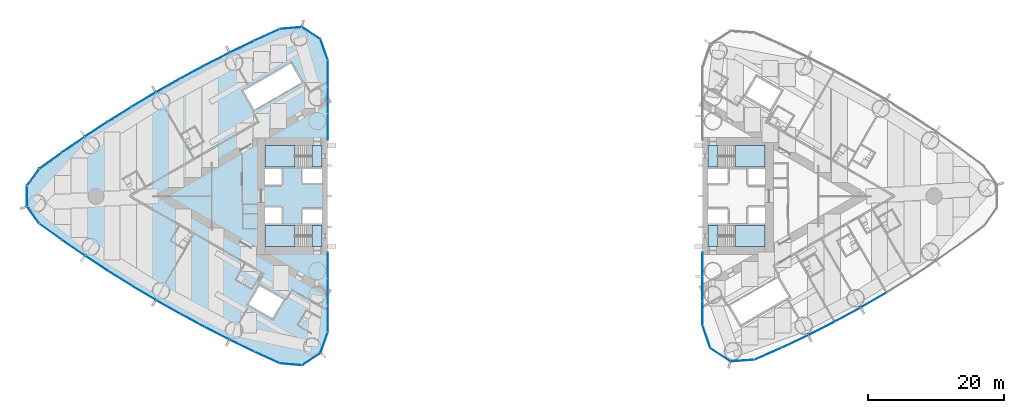
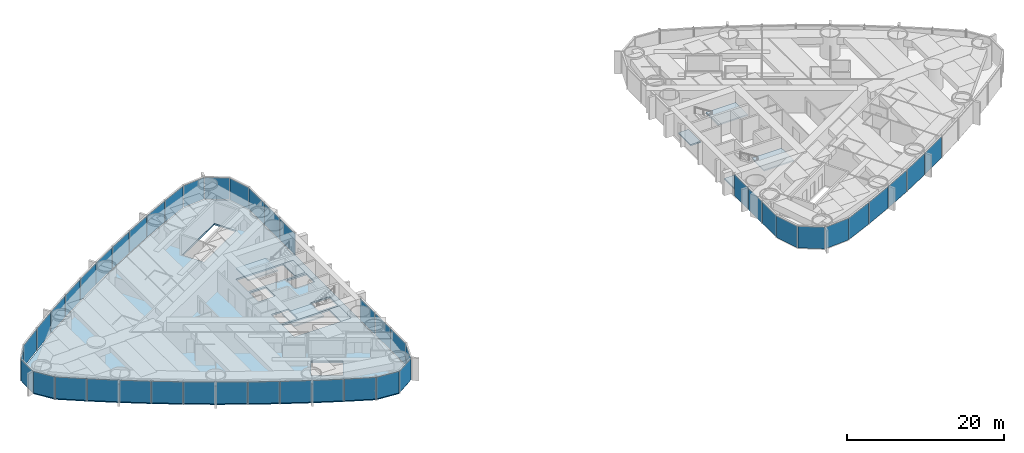
# One storey, part 9 of 18: 46 plates, 9 slabs, 6 elements without a shape of their own.
"""IFC4 building model written with IfcOpenShell, lengths in metres."""

import ifcopenshell
import ifcopenshell.guid

model = None  # the IFC model being written
_history = None  # IfcOwnerHistory: only IFC2X3 demands one
_inside = {}  # id of a spatial element -> (the spatial element, [elements in it])
_under = {}  # id of a project, library or spatial element -> (it, [spatial elements below it])
_declared = {}  # id of a project -> (the project, [libraries it declares])
_typed = {}  # id of a type object -> (the type object, [elements of that type])
_made_of = {}  # id of a material, layer set ... -> (it, [elements and type objects made of it])


def new_model(schema):
    """Start an empty IFC model of exactly this schema.

    Asked for "IFC4X3", IfcOpenShell would pick the latest addendum, in which some entities
    have other attributes; the version numbers below select the first issue.
    IFC2X3 requires an IfcOwnerHistory on every rooted entity: one is made here for all.
    """
    global model, _history
    if schema == "IFC4X3":
        model = ifcopenshell.file(schema_version=(4, 3, 0, 0))
    else:
        model = ifcopenshell.file(schema=schema)
    _inside.clear()
    _under.clear()
    _declared.clear()
    _typed.clear()
    _made_of.clear()
    _history = None
    if model.schema == "IFC2X3":
        org = make("IfcOrganization", Name="unknown")
        user = make(
            "IfcPersonAndOrganization",
            ThePerson=make("IfcPerson", FamilyName="unknown"),
            TheOrganization=org,
        )
        app = make(
            "IfcApplication",
            ApplicationDeveloper=org,
            Version="unknown",
            ApplicationFullName="unknown",
            ApplicationIdentifier="unknown",
        )
        _history = make(
            "IfcOwnerHistory",
            OwningUser=user,
            OwningApplication=app,
            ChangeAction="ADDED",
            CreationDate=0,
        )
    return model


def make(cls, **values):
    """One entity of the class cls with the attributes given. An attribute that is None is left unset."""
    return model.create_entity(
        cls, **{name: value for name, value in values.items() if value is not None}
    )


def rooted(cls, **values):
    """An entity with a GlobalId (a new one), such as an element, a storey or a relation."""
    return make(cls, GlobalId=ifcopenshell.guid.new(), OwnerHistory=_history, **values)


def si_unit(unit_type, name, prefix=None):
    """IfcSIUnit, for example si_unit("LENGTHUNIT", "METRE", prefix="MILLI")."""
    return make("IfcSIUnit", UnitType=unit_type, Prefix=prefix, Name=name)


def assignment(units):
    """IfcUnitAssignment: the units of a project."""
    return None if units is None else make("IfcUnitAssignment", Units=units)


def point(xyz):
    """IfcCartesianPoint."""
    return None if xyz is None else make("IfcCartesianPoint", Coordinates=xyz)


def direction(xyz):
    """IfcDirection."""
    return None if xyz is None else make("IfcDirection", DirectionRatios=xyz)


def frame(location, z_axis=None, x_axis=None):
    """IfcAxis2Placement3D, a coordinate frame: its origin and axes. An axis left out is left unset."""
    return make(
        "IfcAxis2Placement3D",
        Location=point(location),
        Axis=direction(z_axis),
        RefDirection=direction(x_axis),
    )


def frame_2d(location, x_axis=None):
    """IfcAxis2Placement2D, a coordinate frame in the plane: its origin and x axis."""
    return make(
        "IfcAxis2Placement2D", Location=point(location), RefDirection=direction(x_axis)
    )


def origin():
    """The frame at (0, 0, 0) with its axes left unset."""
    return frame((0.0, 0.0, 0.0))


def origin_2d():
    """The frame at (0, 0) in the plane with its x axis left unset."""
    return frame_2d((0.0, 0.0))


def place(relative_to, where):
    """IfcLocalPlacement: puts the frame where relative to a parent placement (None: the world)."""
    return make(
        "IfcLocalPlacement", PlacementRelTo=relative_to, RelativePlacement=where
    )


def context(
    kind, dimensions, precision=None, world=None, true_north=None, identifier=None
):
    """IfcGeometricRepresentationContext, for example the 3D "Model" context."""
    return make(
        "IfcGeometricRepresentationContext",
        ContextIdentifier=identifier,
        ContextType=kind,
        CoordinateSpaceDimension=dimensions,
        Precision=precision,
        WorldCoordinateSystem=world,
        TrueNorth=true_north,
    )


def subcontext(parent, identifier, kind, view, scale=None):
    """IfcGeometricRepresentationSubContext, for example "Body" below "Model"."""
    return make(
        "IfcGeometricRepresentationSubContext",
        ContextIdentifier=identifier,
        ContextType=kind,
        ParentContext=parent,
        TargetScale=scale,
        TargetView=view,
    )


def project(units=None, contexts=None):
    """IfcProject with its units and contexts."""
    return rooted(
        "IfcProject",
        Name="project",
        RepresentationContexts=contexts,
        UnitsInContext=assignment(units),
    )


def spatial(cls, under=None, at=None, **own):
    """A site, building, storey or space (cls), placed at a placement, below another one or the project."""
    s = rooted(cls, ObjectPlacement=at, **own)
    if under is not None:
        _under.setdefault(under.id(), (under, []))[1].append(s)
    return s


def polyline(points):
    """IfcPolyline through the points."""
    return make("IfcPolyline", Points=[point(p) for p in points])


def profile(cls, at=None, kind="AREA", **sizes):
    """A parametric profile (cls). Its sizes go by their IFC names, for example OverallWidth=200.0."""
    return make(cls, ProfileType=kind, Position=at, **sizes)


def rectangle(**sizes):
    """IfcRectangleProfileDef."""
    return profile("IfcRectangleProfileDef", **sizes)


def outline(outer, holes=None, kind="AREA"):
    """IfcArbitraryClosedProfileDef: a profile drawn as a closed curve; with holes, ...WithVoids."""
    if holes is None:
        return make("IfcArbitraryClosedProfileDef", ProfileType=kind, OuterCurve=outer)
    return make(
        "IfcArbitraryProfileDefWithVoids",
        ProfileType=kind,
        OuterCurve=outer,
        InnerCurves=holes,
    )


def extrude(swept, where, along, depth):
    """IfcExtrudedAreaSolid: the profile swept, set in the frame where, extruded along a direction by depth."""
    return make(
        "IfcExtrudedAreaSolid",
        SweptArea=swept,
        Position=where,
        ExtrudedDirection=direction(along),
        Depth=depth,
    )


def shape(context_of_items, identifier, shape_type, items):
    """IfcShapeRepresentation: the items that make up one representation, for example the "Body"."""
    return make(
        "IfcShapeRepresentation",
        ContextOfItems=context_of_items,
        RepresentationIdentifier=identifier,
        RepresentationType=shape_type,
        Items=items,
    )


def material(Name=None, Category=None):
    """IfcMaterial."""
    return make("IfcMaterial", Name=Name, Category=Category)


def layer(
    of_material, thickness, ventilated=None, Name=None, Category=None, Priority=None
):
    """IfcMaterialLayer: one layer of a wall or slab, of a material (None: an air gap)."""
    return make(
        "IfcMaterialLayer",
        Material=of_material,
        LayerThickness=thickness,
        IsVentilated=ventilated,
        Name=Name,
        Category=Category,
        Priority=Priority,
    )


def layer_set(layers, Name=None):
    """IfcMaterialLayerSet."""
    return make("IfcMaterialLayerSet", MaterialLayers=layers, LayerSetName=Name)


def made_of(thing, what):
    """Note that an element or type object is made of a material, layer set ...; save() writes the relation."""
    if what is not None:
        _made_of.setdefault(what.id(), (what, []))[1].append(thing)
    return thing


def type_object(cls, material=None, **own):
    """A type object (cls), such as IfcWallType, which elements share."""
    return made_of(rooted(cls, **own), material)


def element(
    cls,
    number,
    at=None,
    inside=None,
    cuts=None,
    type_object=None,
    material=None,
    context=None,
    identifier="Body",
    shape_type=None,
    held_by="IfcProductDefinitionShape",
    body=None,
    shapes=None,
    **own,
):
    """One element of the class cls, such as IfcWall. Its Tag is "e" and its number.

    at: its placement. inside: the storey or other place that contains it. cuts: it is an
    opening in that element (IfcRelVoidsElement). A single representation is given by context,
    identifier, shape_type and body (its items); several are given by shapes. held_by: the class
    of the entity that holds the representations. save() writes the other relations.
    """
    e = rooted(cls, Tag="e%d" % number, ObjectPlacement=at, **own)
    if body is not None:
        shapes = [shape(context, identifier, shape_type, body)]
    if shapes is not None:
        e.Representation = make(held_by, Representations=shapes)
    if inside is not None:
        _inside.setdefault(inside.id(), (inside, []))[1].append(e)
    if cuts is not None:
        rooted(
            "IfcRelVoidsElement", RelatingBuildingElement=cuts, RelatedOpeningElement=e
        )
    if type_object is not None:
        _typed.setdefault(type_object.id(), (type_object, []))[1].append(e)
    return made_of(e, material)


def aggregate(whole, parts):
    """IfcRelAggregates: a whole, such as a stair, and the parts it consists of."""
    return rooted("IfcRelAggregates", RelatingObject=whole, RelatedObjects=parts)


def save(model, path):
    """Write the relations noted so far, then the file.

    IfcRelAggregates (storeys below a building ...), IfcRelContainedInSpatialStructure (elements
    in a storey), IfcRelDefinesByType, IfcRelAssociatesMaterial and IfcRelDeclares: one each for
    every whole, place, type object, material and project.
    """
    for whole, parts in _under.values():
        aggregate(whole, parts)
    for where, things in _inside.values():
        rooted(
            "IfcRelContainedInSpatialStructure",
            RelatedElements=things,
            RelatingStructure=where,
        )
    for kind, things in _typed.values():
        rooted("IfcRelDefinesByType", RelatedObjects=things, RelatingType=kind)
    for what, things in _made_of.values():
        rooted("IfcRelAssociatesMaterial", RelatedObjects=things, RelatingMaterial=what)
    for by, libraries in _declared.values():
        rooted("IfcRelDeclares", RelatingContext=by, RelatedDefinitions=libraries)
    model.write(path)


model = new_model("IFC4")

# Units and contexts
model_context = context("Model", 3, precision=1e-05, world=origin(), true_north=direction((0.0, 1.0)))
body_context = subcontext(model_context, "Body", "Model", "MODEL_VIEW")
ifc_project = project(units=[si_unit("LENGTHUNIT", "METRE"), si_unit("AREAUNIT", "SQUARE_METRE"), si_unit("VOLUMEUNIT", "CUBIC_METRE"), si_unit("PLANEANGLEUNIT", "RADIAN"), si_unit("MASSUNIT", "GRAM", prefix="KILO")], contexts=[model_context])

# Site, building, storey
site_placement = place(None, origin())
site = spatial("IfcSite", under=ifc_project, at=site_placement, CompositionType="ELEMENT")
building_placement = place(site_placement, origin())
building = spatial("IfcBuilding", under=site, at=building_placement, Name="Lancet Gate Hotel", CompositionType="ELEMENT")
storey_placement = place(building_placement, frame((0.0, 0.0, 94.10009765625)))
storey = spatial("IfcBuildingStorey", under=building, at=storey_placement, Name="L24", CompositionType="ELEMENT", Elevation=94.10009765625)

# Slab
ifc_material_1 = material(Name="Concrete C50/60", Category="concrete")
ifc_layer_1 = layer(ifc_material_1, 0.25)
ifc_layer_set_1 = layer_set([ifc_layer_1], Name="Floor slab 250")
slab_type_1 = type_object("IfcSlabType", Name="Floor slab 250", PredefinedType="FLOOR", material=ifc_layer_set_1)
slab_1_placement = place(storey_placement, frame((0.0, 0.0, -0.25)))
element("IfcSlab", 1, at=slab_1_placement, inside=storey, type_object=slab_type_1, Name="T1 L24 floor slab", PredefinedType="FLOOR", context=body_context, shape_type="SweptSolid", body=[
    extrude(outline(polyline([(-27.5, 8.60009765625), (-27.6201171875, 8.60009765625), (-27.6201171875, 19.950927734375), (-28.65966796875, 22.970947265625), (-31.320068359375, 24.69921875), (-34.5009765625, 24.421630859375), (-38.201416015625, 22.727783203125), (-41.8818359375, 20.946044921875), (-45.523193359375, 19.085693359375), (-49.12353515625, 17.147216796875), (-52.681396484375, 15.131591796875), (-56.195068359375, 13.0400390625), (-59.662841796875, 10.873291015625), (-63.0830078125, 8.63232421875), (-66.454345703125, 6.318115234375), (-69.76025390625, 3.94287109375), (-71.523193359375, 1.49755859375), (-71.523193359375, -1.49755859375), (-69.76025390625, -3.94287109375), (-66.454345703125, -6.318115234375), (-63.0830078125, -8.63232421875), (-59.662841796875, -10.873291015625), (-56.195068359375, -13.0400390625), (-52.681396484375, -15.131591796875), (-49.12353515625, -17.147216796875), (-45.523193359375, -19.085693359375), (-41.8818359375, -20.946044921875), (-38.201416015625, -22.727783203125), (-34.5009765625, -24.421630859375), (-31.320068359375, -24.69921875), (-28.65966796875, -22.970947265625), (-27.6201171875, -19.950927734375), (-27.6201171875, -8.60009765625), (-27.5, -8.60009765625), (-27.5, -8.199951171875), (-27.5, 8.199951171875), (-27.5, 8.60009765625)]), holes=[polyline([(-36.699951171875, 7.39990234375), (-36.699951171875, 4.300048828125), (-28.300048828125, 4.300048828125), (-28.300048828125, 7.39990234375), (-36.699951171875, 7.39990234375)]), polyline([(-28.300048828125, 4.0), (-31.199951171875, 4.0), (-31.199951171875, 1.89990234375), (-28.300048828125, 1.89990234375), (-28.300048828125, 4.0)]), polyline([(-34.25, 4.0), (-36.699951171875, 4.0), (-36.699951171875, 1.64990234375), (-34.25, 1.64990234375), (-34.25, 4.0)]), polyline([(-36.699951171875, -1.64990234375), (-36.699951171875, -4.0), (-34.25, -4.0), (-34.25, -1.64990234375), (-36.699951171875, -1.64990234375)]), polyline([(-28.300048828125, -1.89990234375), (-31.199951171875, -1.89990234375), (-31.199951171875, -4.0), (-28.300048828125, -4.0), (-28.300048828125, -1.89990234375)]), polyline([(-28.300048828125, -4.300048828125), (-36.699951171875, -4.300048828125), (-36.699951171875, -7.39990234375), (-28.300048828125, -7.39990234375), (-28.300048828125, -4.300048828125)]), polyline([(-31.2900390625, 16.73095703125), (-32.889892578125, 19.501953125), (-39.904052734375, 15.451904296875), (-38.303955078125, 12.680908203125), (-31.2900390625, 16.73095703125)]), polyline([(-33.97412109375, -15.180908203125), (-37.52490234375, -13.131103515625), (-39.125, -15.902099609375), (-35.573974609375, -17.951904296875), (-33.97412109375, -15.180908203125)])]), origin(), (0.0, 0.0, 1.0), 0.25),
])

# Stair, slabs
ifc_material_2 = material(Name="Exit stair 20 risers 1500")
stair_type = type_object("IfcStairType", Name="Exit stair 20 risers 1500", PredefinedType="HALF_TURN_STAIR", material=ifc_material_2)
stair_1_placement = place(storey_placement, origin())
stair_1 = element("IfcStair", 2, at=stair_1_placement, inside=storey, type_object=stair_type, Name="T1 stair 1 L24", PredefinedType="HALF_TURN_STAIR")
ifc_material_3 = material(Name="Concrete C40/50", Category="concrete")
ifc_layer_2 = layer(ifc_material_3, 0.199951171875)
ifc_layer_set_2 = layer_set([ifc_layer_2], Name="Stair landing 200")
slab_type_2 = type_object("IfcSlabType", Name="Stair landing 200", PredefinedType="LANDING", material=ifc_layer_set_2)
slab_2_placement = place(storey_placement, frame((0.0, 0.0, -0.2001953125)))
slab_2 = element("IfcSlab", 3, at=slab_2_placement, type_object=slab_type_2, Name="ST1 landing 1", PredefinedType="LANDING", context=body_context, shape_type="SweptSolid", body=[
    extrude(outline(polyline([(-28.300048828125, 7.39990234375), (-29.800048828125, 7.39990234375), (-29.800048828125, 4.300048828125), (-28.300048828125, 4.300048828125), (-28.300048828125, 7.39990234375)])), origin(), (0.0, 0.0, 1.0), 0.2001953125),
])
slab_3_placement = place(storey_placement, frame((0.0, 0.0, 1.5498046875)))
slab_3 = element("IfcSlab", 4, at=slab_3_placement, type_object=slab_type_2, Name="ST1 landing 2", PredefinedType="LANDING", context=body_context, shape_type="SweptSolid", body=[
    extrude(outline(polyline([(-32.320068359375, 7.39990234375), (-36.699951171875, 7.39990234375), (-36.699951171875, 4.300048828125), (-32.320068359375, 4.300048828125), (-32.320068359375, 7.39990234375)])), origin(), (0.0, 0.0, 1.0), 0.2001953125),
])
aggregate(stair_1, [slab_2, slab_3])

stair_2_placement = place(storey_placement, origin())
stair_2 = element("IfcStair", 5, at=stair_2_placement, inside=storey, type_object=stair_type, Name="T1 stair 2 L24", PredefinedType="HALF_TURN_STAIR")
slab_4_placement = place(storey_placement, frame((0.0, 0.0, -0.2001953125)))
slab_4 = element("IfcSlab", 6, at=slab_4_placement, type_object=slab_type_2, Name="ST2 landing 1", PredefinedType="LANDING", context=body_context, shape_type="SweptSolid", body=[
    extrude(outline(polyline([(-28.300048828125, -4.300048828125), (-29.800048828125, -4.300048828125), (-29.800048828125, -7.39990234375), (-28.300048828125, -7.39990234375), (-28.300048828125, -4.300048828125)])), origin(), (0.0, 0.0, 1.0), 0.2001953125),
])
slab_5_placement = place(storey_placement, frame((0.0, 0.0, 1.5498046875)))
slab_5 = element("IfcSlab", 7, at=slab_5_placement, type_object=slab_type_2, Name="ST2 landing 2", PredefinedType="LANDING", context=body_context, shape_type="SweptSolid", body=[
    extrude(outline(polyline([(-32.320068359375, -4.300048828125), (-36.699951171875, -4.300048828125), (-36.699951171875, -7.39990234375), (-32.320068359375, -7.39990234375), (-32.320068359375, -4.300048828125)])), origin(), (0.0, 0.0, 1.0), 0.2001953125),
])
aggregate(stair_2, [slab_4, slab_5])

stair_3_placement = place(storey_placement, origin())
stair_3 = element("IfcStair", 8, at=stair_3_placement, inside=storey, type_object=stair_type, Name="T2 stair 1 L24", PredefinedType="HALF_TURN_STAIR")
slab_6_placement = place(storey_placement, frame((0.0, 0.0, -0.2001953125)))
slab_6 = element("IfcSlab", 9, at=slab_6_placement, type_object=slab_type_2, Name="ST3 landing 1", PredefinedType="LANDING", context=body_context, shape_type="SweptSolid", body=[
    extrude(outline(polyline([(28.300048828125, -7.39990234375), (29.800048828125, -7.39990234375), (29.800048828125, -4.300048828125), (28.300048828125, -4.300048828125), (28.300048828125, -7.39990234375)])), origin(), (0.0, 0.0, 1.0), 0.2001953125),
])
slab_7_placement = place(storey_placement, frame((0.0, 0.0, 1.5498046875)))
slab_7 = element("IfcSlab", 10, at=slab_7_placement, type_object=slab_type_2, Name="ST3 landing 2", PredefinedType="LANDING", context=body_context, shape_type="SweptSolid", body=[
    extrude(outline(polyline([(32.320068359375, -7.39990234375), (36.699951171875, -7.39990234375), (36.699951171875, -4.300048828125), (32.320068359375, -4.300048828125), (32.320068359375, -7.39990234375)])), origin(), (0.0, 0.0, 1.0), 0.2001953125),
])
aggregate(stair_3, [slab_6, slab_7])

stair_4_placement = place(storey_placement, origin())
stair_4 = element("IfcStair", 11, at=stair_4_placement, inside=storey, type_object=stair_type, Name="T2 stair 2 L24", PredefinedType="HALF_TURN_STAIR")
slab_8_placement = place(storey_placement, frame((0.0, 0.0, -0.2001953125)))
slab_8 = element("IfcSlab", 12, at=slab_8_placement, type_object=slab_type_2, Name="ST4 landing 1", PredefinedType="LANDING", context=body_context, shape_type="SweptSolid", body=[
    extrude(outline(polyline([(28.300048828125, 4.300048828125), (29.800048828125, 4.300048828125), (29.800048828125, 7.39990234375), (28.300048828125, 7.39990234375), (28.300048828125, 4.300048828125)])), origin(), (0.0, 0.0, 1.0), 0.2001953125),
])
slab_9_placement = place(storey_placement, frame((0.0, 0.0, 1.5498046875)))
slab_9 = element("IfcSlab", 13, at=slab_9_placement, type_object=slab_type_2, Name="ST4 landing 2", PredefinedType="LANDING", context=body_context, shape_type="SweptSolid", body=[
    extrude(outline(polyline([(32.320068359375, 4.300048828125), (36.699951171875, 4.300048828125), (36.699951171875, 7.39990234375), (32.320068359375, 7.39990234375), (32.320068359375, 4.300048828125)])), origin(), (0.0, 0.0, 1.0), 0.2001953125),
])
aggregate(stair_4, [slab_8, slab_9])

# Curtain wall, plates
ifc_material_4 = material(Name="Aluminium curtain wall", Category="aluminium")
curtain_wall_type = type_object("IfcCurtainWallType", Name="Tower unitised curtain wall", PredefinedType="USERDEFINED", material=ifc_material_4)
curtain_wall_1_placement = place(storey_placement, origin())
curtain_wall_1 = element("IfcCurtainWall", 14, at=curtain_wall_1_placement, inside=storey, type_object=curtain_wall_type, Name="T1 L24 curtain wall 1", ObjectType="UNITISED CURTAIN WALL", PredefinedType="USERDEFINED")
ifc_material_5 = material(Name="Glass double glazed unit 8-16-6", Category="glass")
ifc_layer_3 = layer(ifc_material_5, 0.030029296875)
ifc_layer_set_3 = layer_set([ifc_layer_3], Name="Vision panel double glazed")
plate_type = type_object("IfcPlateType", Name="Vision panel double glazed", PredefinedType="CURTAIN_PANEL", material=ifc_layer_set_3)
plate_1_placement = place(storey_placement, frame((-27.5, 10.161865234375, -0.000244140625), z_axis=(0.0, 0.0, 1.0), x_axis=(0.0, 1.0, 0.0)))
plate_1 = element("IfcPlate", 15, at=plate_1_placement, type_object=plate_type, Name="T1 L24 curtain wall 1 panel 1", PredefinedType="CURTAIN_PANEL", context=body_context, shape_type="SweptSolid", body=[
    extrude(rectangle(XDim=3.858642578125, YDim=0.030029296875, at=origin_2d()), origin(), (0.0, 0.0, 1.0), 3.35009765625),
])
plate_2_placement = place(storey_placement, frame((-27.5, 14.08544921875, -0.000244140625), z_axis=(0.0, 0.0, 1.0), x_axis=(0.0, 1.0, 0.0)))
plate_2 = element("IfcPlate", 16, at=plate_2_placement, type_object=plate_type, Name="T1 L24 curtain wall 1 panel 2", PredefinedType="CURTAIN_PANEL", context=body_context, shape_type="SweptSolid", body=[
    extrude(rectangle(XDim=3.858642578125, YDim=0.030029296875, at=origin_2d()), origin(), (0.0, 0.0, 1.0), 3.35009765625),
])
plate_3_placement = place(storey_placement, frame((-27.5, 18.00927734375, -0.000244140625), z_axis=(0.0, 0.0, 1.0), x_axis=(0.0, 1.0, 0.0)))
plate_3 = element("IfcPlate", 17, at=plate_3_placement, type_object=plate_type, Name="T1 L24 curtain wall 1 panel 3", PredefinedType="CURTAIN_PANEL", context=body_context, shape_type="SweptSolid", body=[
    extrude(rectangle(XDim=3.858642578125, YDim=0.030029296875, at=origin_2d()), origin(), (0.0, 0.0, 1.0), 3.35009765625),
])
plate_4_placement = place(storey_placement, frame((-28.02978515625, 21.510009765625, -0.000244140625), z_axis=(0.0, 0.0, 1.0), x_axis=(-0.325515820766, 0.945536593914, 0.0)))
plate_4 = element("IfcPlate", 18, at=plate_4_placement, type_object=plate_type, Name="T1 L24 curtain wall 1 panel 4", PredefinedType="CURTAIN_PANEL", context=body_context, shape_type="SweptSolid", body=[
    extrude(rectangle(XDim=3.190185546875, YDim=0.030029296875, at=origin_2d()), origin(), (0.0, 0.0, 1.0), 3.35009765625),
])
plate_5_placement = place(storey_placement, frame((-29.924560546875, 23.935546875, -0.000244140625), z_axis=(0.0, 0.0, 1.0), x_axis=(-0.838580121261, 0.544778285385, 0.0)))
plate_5 = element("IfcPlate", 19, at=plate_5_placement, type_object=plate_type, Name="T1 L24 curtain wall 1 panel 5", PredefinedType="CURTAIN_PANEL", context=body_context, shape_type="SweptSolid", body=[
    extrude(rectangle(XDim=3.190185546875, YDim=0.030029296875, at=origin_2d()), origin(), (0.0, 0.0, 1.0), 3.35009765625),
])
plate_6_placement = place(storey_placement, frame((-32.91064453125, 24.680908203125, -0.000244140625), z_axis=(0.0, 0.0, 1.0), x_axis=(-0.996218779711, -0.086880049207, 0.0)))
plate_6 = element("IfcPlate", 20, at=plate_6_placement, type_object=plate_type, Name="T1 L24 curtain wall 1 panel 6", PredefinedType="CURTAIN_PANEL", context=body_context, shape_type="SweptSolid", body=[
    extrude(rectangle(XDim=3.190185546875, YDim=0.030029296875, at=origin_2d()), origin(), (0.0, 0.0, 1.0), 3.35009765625),
])
plate_7_placement = place(storey_placement, frame((-36.392333984375, 23.68798828125, -0.000244140625), z_axis=(0.0, 0.0, 1.0), x_axis=(-0.909252721243, -0.416244506166, 0.0)))
plate_7 = element("IfcPlate", 21, at=plate_7_placement, type_object=plate_type, Name="T1 L24 curtain wall 1 panel 7", PredefinedType="CURTAIN_PANEL", context=body_context, shape_type="SweptSolid", body=[
    extrude(rectangle(XDim=4.026611328125, YDim=0.030029296875, at=origin_2d()), origin(), (0.0, 0.0, 1.0), 3.35009765625),
])
plate_8_placement = place(storey_placement, frame((-40.093994140625, 21.945068359375, -0.000244140625), z_axis=(0.0, 0.0, 1.0), x_axis=(-0.900081672047, -0.435721222395, 0.0)))
plate_8 = element("IfcPlate", 22, at=plate_8_placement, type_object=plate_type, Name="T1 L24 curtain wall 1 panel 8", PredefinedType="CURTAIN_PANEL", context=body_context, shape_type="SweptSolid", body=[
    extrude(rectangle(XDim=4.026611328125, YDim=0.030029296875, at=origin_2d()), origin(), (0.0, 0.0, 1.0), 3.35009765625),
])
plate_9_placement = place(storey_placement, frame((-43.757080078125, 20.122802734375, -0.000244140625), z_axis=(0.0, 0.0, 1.0), x_axis=(-0.890493479451, -0.45499600334, 0.0)))
plate_9 = element("IfcPlate", 23, at=plate_9_placement, type_object=plate_type, Name="T1 L24 curtain wall 1 panel 9", PredefinedType="CURTAIN_PANEL", context=body_context, shape_type="SweptSolid", body=[
    extrude(rectangle(XDim=4.026611328125, YDim=0.030029296875, at=origin_2d()), origin(), (0.0, 0.0, 1.0), 3.35009765625),
])
plate_10_placement = place(storey_placement, frame((-47.380126953125, 18.221923828125, -0.000244140625), z_axis=(0.0, 0.0, 1.0), x_axis=(-0.880492587094, -0.474059916121, 0.0)))
plate_10 = element("IfcPlate", 24, at=plate_10_placement, type_object=plate_type, Name="T1 L24 curtain wall 1 panel 10", PredefinedType="CURTAIN_PANEL", context=body_context, shape_type="SweptSolid", body=[
    extrude(rectangle(XDim=4.026611328125, YDim=0.030029296875, at=origin_2d()), origin(), (0.0, 0.0, 1.0), 3.35009765625),
])
plate_11_placement = place(storey_placement, frame((-50.961669921875, 16.243896484375, -0.000244140625), z_axis=(0.0, 0.0, 1.0), x_axis=(-0.870083629903, -0.49290412554, 0.0)))
plate_11 = element("IfcPlate", 25, at=plate_11_placement, type_object=plate_type, Name="T1 L24 curtain wall 1 panel 11", PredefinedType="CURTAIN_PANEL", context=body_context, shape_type="SweptSolid", body=[
    extrude(rectangle(XDim=4.026611328125, YDim=0.030029296875, at=origin_2d()), origin(), (0.0, 0.0, 1.0), 3.35009765625),
])
plate_12_placement = place(storey_placement, frame((-54.49951171875, 14.18896484375, -0.000244140625), z_axis=(0.0, 0.0, 1.0), x_axis=(-0.859271431916, -0.511519898238, 0.0)))
plate_12 = element("IfcPlate", 26, at=plate_12_placement, type_object=plate_type, Name="T1 L24 curtain wall 1 panel 12", PredefinedType="CURTAIN_PANEL", context=body_context, shape_type="SweptSolid", body=[
    extrude(rectangle(XDim=4.026611328125, YDim=0.030029296875, at=origin_2d()), origin(), (0.0, 0.0, 1.0), 3.35009765625),
])
plate_13_placement = place(storey_placement, frame((-57.992431640625, 12.058349609375, -0.000244140625), z_axis=(0.0, 0.0, 1.0), x_axis=(-0.848061004052, -0.529898606722, 0.0)))
plate_13 = element("IfcPlate", 27, at=plate_13_placement, type_object=plate_type, Name="T1 L24 curtain wall 1 panel 13", PredefinedType="CURTAIN_PANEL", context=body_context, shape_type="SweptSolid", body=[
    extrude(rectangle(XDim=4.026611328125, YDim=0.030029296875, at=origin_2d()), origin(), (0.0, 0.0, 1.0), 3.35009765625),
])
plate_14_placement = place(storey_placement, frame((-61.438720703125, 9.85302734375, -0.000244140625), z_axis=(0.0, 0.0, 1.0), x_axis=(-0.836457541791, -0.54803173337, 0.0)))
plate_14 = element("IfcPlate", 28, at=plate_14_placement, type_object=plate_type, Name="T1 L24 curtain wall 1 panel 14", PredefinedType="CURTAIN_PANEL", context=body_context, shape_type="SweptSolid", body=[
    extrude(rectangle(XDim=4.026611328125, YDim=0.030029296875, at=origin_2d()), origin(), (0.0, 0.0, 1.0), 3.35009765625),
])
plate_15_placement = place(storey_placement, frame((-64.836669921875, 7.57421875, -0.000244140625), z_axis=(0.0, 0.0, 1.0), x_axis=(-0.824466422775, -0.565910874357, 0.0)))
plate_15 = element("IfcPlate", 29, at=plate_15_placement, type_object=plate_type, Name="T1 L24 curtain wall 1 panel 15", PredefinedType="CURTAIN_PANEL", context=body_context, shape_type="SweptSolid", body=[
    extrude(rectangle(XDim=4.026611328125, YDim=0.030029296875, at=origin_2d()), origin(), (0.0, 0.0, 1.0), 3.35009765625),
])
plate_16_placement = place(storey_placement, frame((-68.184814453125, 5.22265625, -0.000244140625), z_axis=(0.0, 0.0, 1.0), x_axis=(-0.812093204276, -0.583527743615, 0.0)))
plate_16 = element("IfcPlate", 30, at=plate_16_placement, type_object=plate_type, Name="T1 L24 curtain wall 1 panel 16", PredefinedType="CURTAIN_PANEL", context=body_context, shape_type="SweptSolid", body=[
    extrude(rectangle(XDim=4.026611328125, YDim=0.030029296875, at=origin_2d()), origin(), (0.0, 0.0, 1.0), 3.35009765625),
])
plate_17_placement = place(storey_placement, frame((-70.74462890625, 2.782470703125, -0.000244140625), z_axis=(0.0, 0.0, 1.0), x_axis=(-0.584808645706, -0.811171281486, 0.0)))
plate_17 = element("IfcPlate", 31, at=plate_17_placement, type_object=plate_type, Name="T1 L24 curtain wall 1 panel 17", PredefinedType="CURTAIN_PANEL", context=body_context, shape_type="SweptSolid", body=[
    extrude(rectangle(XDim=3.0078125, YDim=0.030029296875, at=origin_2d()), origin(), (0.0, 0.0, 1.0), 3.35009765625),
])
plate_18_placement = place(storey_placement, frame((-71.64306640625, 0.0, -0.000244140625), z_axis=(0.0, 0.0, 1.0), x_axis=(0.0, -1.0, 0.0)))
plate_18 = element("IfcPlate", 32, at=plate_18_placement, type_object=plate_type, Name="T1 L24 curtain wall 1 panel 18", PredefinedType="CURTAIN_PANEL", context=body_context, shape_type="SweptSolid", body=[
    extrude(rectangle(XDim=3.0078125, YDim=0.030029296875, at=origin_2d()), origin(), (0.0, 0.0, 1.0), 3.35009765625),
])
plate_19_placement = place(storey_placement, frame((-70.74462890625, -2.782470703125, -0.000244140625), z_axis=(0.0, 0.0, 1.0), x_axis=(0.584808645706, -0.811171281486, 0.0)))
plate_19 = element("IfcPlate", 33, at=plate_19_placement, type_object=plate_type, Name="T1 L24 curtain wall 1 panel 19", PredefinedType="CURTAIN_PANEL", context=body_context, shape_type="SweptSolid", body=[
    extrude(rectangle(XDim=3.0078125, YDim=0.030029296875, at=origin_2d()), origin(), (0.0, 0.0, 1.0), 3.35009765625),
])
plate_20_placement = place(storey_placement, frame((-68.184814453125, -5.22265625, -0.000244140625), z_axis=(0.0, 0.0, 1.0), x_axis=(0.812093204276, -0.583527743615, 0.0)))
plate_20 = element("IfcPlate", 34, at=plate_20_placement, type_object=plate_type, Name="T1 L24 curtain wall 1 panel 20", PredefinedType="CURTAIN_PANEL", context=body_context, shape_type="SweptSolid", body=[
    extrude(rectangle(XDim=4.026611328125, YDim=0.030029296875, at=origin_2d()), origin(), (0.0, 0.0, 1.0), 3.35009765625),
])
plate_21_placement = place(storey_placement, frame((-64.836669921875, -7.57421875, -0.000244140625), z_axis=(0.0, 0.0, 1.0), x_axis=(0.824466422775, -0.565910874357, 0.0)))
plate_21 = element("IfcPlate", 35, at=plate_21_placement, type_object=plate_type, Name="T1 L24 curtain wall 1 panel 21", PredefinedType="CURTAIN_PANEL", context=body_context, shape_type="SweptSolid", body=[
    extrude(rectangle(XDim=4.026611328125, YDim=0.030029296875, at=origin_2d()), origin(), (0.0, 0.0, 1.0), 3.35009765625),
])
plate_22_placement = place(storey_placement, frame((-61.438720703125, -9.85302734375, -0.000244140625), z_axis=(0.0, 0.0, 1.0), x_axis=(0.836457541791, -0.54803173337, 0.0)))
plate_22 = element("IfcPlate", 36, at=plate_22_placement, type_object=plate_type, Name="T1 L24 curtain wall 1 panel 22", PredefinedType="CURTAIN_PANEL", context=body_context, shape_type="SweptSolid", body=[
    extrude(rectangle(XDim=4.026611328125, YDim=0.030029296875, at=origin_2d()), origin(), (0.0, 0.0, 1.0), 3.35009765625),
])
plate_23_placement = place(storey_placement, frame((-57.992431640625, -12.058349609375, -0.000244140625), z_axis=(0.0, 0.0, 1.0), x_axis=(0.848061004052, -0.529898606722, 0.0)))
plate_23 = element("IfcPlate", 37, at=plate_23_placement, type_object=plate_type, Name="T1 L24 curtain wall 1 panel 23", PredefinedType="CURTAIN_PANEL", context=body_context, shape_type="SweptSolid", body=[
    extrude(rectangle(XDim=4.026611328125, YDim=0.030029296875, at=origin_2d()), origin(), (0.0, 0.0, 1.0), 3.35009765625),
])
plate_24_placement = place(storey_placement, frame((-54.49951171875, -14.18896484375, -0.000244140625), z_axis=(0.0, 0.0, 1.0), x_axis=(0.859271431916, -0.511519898238, 0.0)))
plate_24 = element("IfcPlate", 38, at=plate_24_placement, type_object=plate_type, Name="T1 L24 curtain wall 1 panel 24", PredefinedType="CURTAIN_PANEL", context=body_context, shape_type="SweptSolid", body=[
    extrude(rectangle(XDim=4.026611328125, YDim=0.030029296875, at=origin_2d()), origin(), (0.0, 0.0, 1.0), 3.35009765625),
])
plate_25_placement = place(storey_placement, frame((-50.961669921875, -16.243896484375, -0.000244140625), z_axis=(0.0, 0.0, 1.0), x_axis=(0.870083629903, -0.49290412554, 0.0)))
plate_25 = element("IfcPlate", 39, at=plate_25_placement, type_object=plate_type, Name="T1 L24 curtain wall 1 panel 25", PredefinedType="CURTAIN_PANEL", context=body_context, shape_type="SweptSolid", body=[
    extrude(rectangle(XDim=4.026611328125, YDim=0.030029296875, at=origin_2d()), origin(), (0.0, 0.0, 1.0), 3.35009765625),
])
plate_26_placement = place(storey_placement, frame((-47.380126953125, -18.221923828125, -0.000244140625), z_axis=(0.0, 0.0, 1.0), x_axis=(0.880492587094, -0.474059916121, 0.0)))
plate_26 = element("IfcPlate", 40, at=plate_26_placement, type_object=plate_type, Name="T1 L24 curtain wall 1 panel 26", PredefinedType="CURTAIN_PANEL", context=body_context, shape_type="SweptSolid", body=[
    extrude(rectangle(XDim=4.026611328125, YDim=0.030029296875, at=origin_2d()), origin(), (0.0, 0.0, 1.0), 3.35009765625),
])
plate_27_placement = place(storey_placement, frame((-43.757080078125, -20.122802734375, -0.000244140625), z_axis=(0.0, 0.0, 1.0), x_axis=(0.890493479451, -0.45499600334, 0.0)))
plate_27 = element("IfcPlate", 41, at=plate_27_placement, type_object=plate_type, Name="T1 L24 curtain wall 1 panel 27", PredefinedType="CURTAIN_PANEL", context=body_context, shape_type="SweptSolid", body=[
    extrude(rectangle(XDim=4.026611328125, YDim=0.030029296875, at=origin_2d()), origin(), (0.0, 0.0, 1.0), 3.35009765625),
])
plate_28_placement = place(storey_placement, frame((-40.093994140625, -21.945068359375, -0.000244140625), z_axis=(0.0, 0.0, 1.0), x_axis=(0.900081672047, -0.435721222395, 0.0)))
plate_28 = element("IfcPlate", 42, at=plate_28_placement, type_object=plate_type, Name="T1 L24 curtain wall 1 panel 28", PredefinedType="CURTAIN_PANEL", context=body_context, shape_type="SweptSolid", body=[
    extrude(rectangle(XDim=4.026611328125, YDim=0.030029296875, at=origin_2d()), origin(), (0.0, 0.0, 1.0), 3.35009765625),
])
plate_29_placement = place(storey_placement, frame((-36.392333984375, -23.68798828125, -0.000244140625), z_axis=(0.0, 0.0, 1.0), x_axis=(0.909252721243, -0.416244506166, 0.0)))
plate_29 = element("IfcPlate", 43, at=plate_29_placement, type_object=plate_type, Name="T1 L24 curtain wall 1 panel 29", PredefinedType="CURTAIN_PANEL", context=body_context, shape_type="SweptSolid", body=[
    extrude(rectangle(XDim=4.026611328125, YDim=0.030029296875, at=origin_2d()), origin(), (0.0, 0.0, 1.0), 3.35009765625),
])
plate_30_placement = place(storey_placement, frame((-32.91064453125, -24.680908203125, -0.000244140625), z_axis=(0.0, 0.0, 1.0), x_axis=(0.996218779711, -0.086880049207, 0.0)))
plate_30 = element("IfcPlate", 44, at=plate_30_placement, type_object=plate_type, Name="T1 L24 curtain wall 1 panel 30", PredefinedType="CURTAIN_PANEL", context=body_context, shape_type="SweptSolid", body=[
    extrude(rectangle(XDim=3.190185546875, YDim=0.030029296875, at=origin_2d()), origin(), (0.0, 0.0, 1.0), 3.35009765625),
])
plate_31_placement = place(storey_placement, frame((-29.924560546875, -23.935546875, -0.000244140625), z_axis=(0.0, 0.0, 1.0), x_axis=(0.838580121261, 0.544778285385, 0.0)))
plate_31 = element("IfcPlate", 45, at=plate_31_placement, type_object=plate_type, Name="T1 L24 curtain wall 1 panel 31", PredefinedType="CURTAIN_PANEL", context=body_context, shape_type="SweptSolid", body=[
    extrude(rectangle(XDim=3.190185546875, YDim=0.030029296875, at=origin_2d()), origin(), (0.0, 0.0, 1.0), 3.35009765625),
])
plate_32_placement = place(storey_placement, frame((-28.02978515625, -21.510009765625, -0.000244140625), z_axis=(0.0, 0.0, 1.0), x_axis=(0.325515820766, 0.945536593914, 0.0)))
plate_32 = element("IfcPlate", 46, at=plate_32_placement, type_object=plate_type, Name="T1 L24 curtain wall 1 panel 32", PredefinedType="CURTAIN_PANEL", context=body_context, shape_type="SweptSolid", body=[
    extrude(rectangle(XDim=3.190185546875, YDim=0.030029296875, at=origin_2d()), origin(), (0.0, 0.0, 1.0), 3.35009765625),
])
plate_33_placement = place(storey_placement, frame((-27.5, -18.00927734375, -0.000244140625), z_axis=(0.0, 0.0, 1.0), x_axis=(0.0, 1.0, 0.0)))
plate_33 = element("IfcPlate", 47, at=plate_33_placement, type_object=plate_type, Name="T1 L24 curtain wall 1 panel 33", PredefinedType="CURTAIN_PANEL", context=body_context, shape_type="SweptSolid", body=[
    extrude(rectangle(XDim=3.858642578125, YDim=0.030029296875, at=origin_2d()), origin(), (0.0, 0.0, 1.0), 3.35009765625),
])
plate_34_placement = place(storey_placement, frame((-27.5, -14.08544921875, -0.000244140625), z_axis=(0.0, 0.0, 1.0), x_axis=(0.0, 1.0, 0.0)))
plate_34 = element("IfcPlate", 48, at=plate_34_placement, type_object=plate_type, Name="T1 L24 curtain wall 1 panel 34", PredefinedType="CURTAIN_PANEL", context=body_context, shape_type="SweptSolid", body=[
    extrude(rectangle(XDim=3.858642578125, YDim=0.030029296875, at=origin_2d()), origin(), (0.0, 0.0, 1.0), 3.35009765625),
])
plate_35_placement = place(storey_placement, frame((-27.5, -10.161865234375, -0.000244140625), z_axis=(0.0, 0.0, 1.0), x_axis=(0.0, 1.0, 0.0)))
plate_35 = element("IfcPlate", 49, at=plate_35_placement, type_object=plate_type, Name="T1 L24 curtain wall 1 panel 35", PredefinedType="CURTAIN_PANEL", context=body_context, shape_type="SweptSolid", body=[
    extrude(rectangle(XDim=3.858642578125, YDim=0.030029296875, at=origin_2d()), origin(), (0.0, 0.0, 1.0), 3.35009765625),
])
aggregate(curtain_wall_1, [plate_1, plate_2, plate_3, plate_4, plate_5, plate_6, plate_7, plate_8, plate_9, plate_10, plate_11, plate_12, plate_13, plate_14, plate_15, plate_16, plate_17, plate_18, plate_19, plate_20, plate_21, plate_22, plate_23, plate_24, plate_25, plate_26, plate_27, plate_28, plate_29, plate_30, plate_31, plate_32, plate_33, plate_34, plate_35])

curtain_wall_2_placement = place(storey_placement, origin())
curtain_wall_2 = element("IfcCurtainWall", 50, at=curtain_wall_2_placement, inside=storey, type_object=curtain_wall_type, Name="T2 L24 curtain wall 1", ObjectType="UNITISED CURTAIN WALL", PredefinedType="USERDEFINED")
plate_36_placement = place(storey_placement, frame((27.5, -9.990478515625, -0.000244140625), z_axis=(0.0, 0.0, 1.0), x_axis=(0.0, -1.0, 0.0)))
plate_36 = element("IfcPlate", 51, at=plate_36_placement, type_object=plate_type, Name="T2 L24 curtain wall 1 panel 1", PredefinedType="CURTAIN_PANEL", context=body_context, shape_type="SweptSolid", body=[
    extrude(rectangle(XDim=3.515869140625, YDim=0.030029296875, at=origin_2d()), origin(), (0.0, 0.0, 1.0), 3.35009765625),
])
plate_37_placement = place(storey_placement, frame((27.5, -13.571533203125, -0.000244140625), z_axis=(0.0, 0.0, 1.0), x_axis=(0.0, -1.0, 0.0)))
plate_37 = element("IfcPlate", 52, at=plate_37_placement, type_object=plate_type, Name="T2 L24 curtain wall 1 panel 2", PredefinedType="CURTAIN_PANEL", context=body_context, shape_type="SweptSolid", body=[
    extrude(rectangle(XDim=3.515869140625, YDim=0.030029296875, at=origin_2d()), origin(), (0.0, 0.0, 1.0), 3.35009765625),
])
plate_38_placement = place(storey_placement, frame((27.5, -17.15234375, -0.000244140625), z_axis=(0.0, 0.0, 1.0), x_axis=(0.0, -1.0, 0.0)))
plate_38 = element("IfcPlate", 53, at=plate_38_placement, type_object=plate_type, Name="T2 L24 curtain wall 1 panel 3", PredefinedType="CURTAIN_PANEL", context=body_context, shape_type="SweptSolid", body=[
    extrude(rectangle(XDim=3.515869140625, YDim=0.030029296875, at=origin_2d()), origin(), (0.0, 0.0, 1.0), 3.35009765625),
])
plate_39_placement = place(storey_placement, frame((28.072265625, -20.622314453125, -0.000244140625), z_axis=(0.0, 0.0, 1.0), x_axis=(0.32257568891, -0.946543673015, 0.0)))
plate_39 = element("IfcPlate", 54, at=plate_39_placement, type_object=plate_type, Name="T2 L24 curtain wall 1 panel 4", PredefinedType="CURTAIN_PANEL", context=body_context, shape_type="SweptSolid", body=[
    extrude(rectangle(XDim=3.4833984375, YDim=0.030029296875, at=origin_2d()), origin(), (0.0, 0.0, 1.0), 3.35009765625),
])
plate_40_placement = place(storey_placement, frame((30.123291015625, -23.281982421875, -0.000244140625), z_axis=(0.0, 0.0, 1.0), x_axis=(0.833464516611, -0.552572981198, 0.0)))
plate_40 = element("IfcPlate", 55, at=plate_40_placement, type_object=plate_type, Name="T2 L24 curtain wall 1 panel 5", PredefinedType="CURTAIN_PANEL", context=body_context, shape_type="SweptSolid", body=[
    extrude(rectangle(XDim=3.4833984375, YDim=0.030029296875, at=origin_2d()), origin(), (0.0, 0.0, 1.0), 3.35009765625),
])
plate_41_placement = place(storey_placement, frame((33.37158203125, -24.1357421875, -0.000244140625), z_axis=(0.0, 0.0, 1.0), x_axis=(0.997448492935, 0.07138980278, 0.0)))
plate_41 = element("IfcPlate", 56, at=plate_41_placement, type_object=plate_type, Name="T2 L24 curtain wall 1 panel 6", PredefinedType="CURTAIN_PANEL", context=body_context, shape_type="SweptSolid", body=[
    extrude(rectangle(XDim=3.4833984375, YDim=0.030029296875, at=origin_2d()), origin(), (0.0, 0.0, 1.0), 3.35009765625),
])
plate_42_placement = place(storey_placement, frame((37.13134765625, -23.13427734375, -0.000244140625), z_axis=(0.0, 0.0, 1.0), x_axis=(0.915478658759, 0.40236653111, 0.0)))
plate_42 = element("IfcPlate", 57, at=plate_42_placement, type_object=plate_type, Name="T2 L24 curtain wall 1 panel 7", PredefinedType="CURTAIN_PANEL", context=body_context, shape_type="SweptSolid", body=[
    extrude(rectangle(XDim=4.2822265625, YDim=0.030029296875, at=origin_2d()), origin(), (0.0, 0.0, 1.0), 3.35009765625),
])
plate_43_placement = place(storey_placement, frame((41.08544921875, -21.3291015625, -0.000244140625), z_axis=(0.0, 0.0, 1.0), x_axis=(0.903683440096, 0.428201167789, 0.0)))
plate_43 = element("IfcPlate", 58, at=plate_43_placement, type_object=plate_type, Name="T2 L24 curtain wall 1 panel 8", PredefinedType="CURTAIN_PANEL", context=body_context, shape_type="SweptSolid", body=[
    extrude(rectangle(XDim=4.2822265625, YDim=0.030029296875, at=origin_2d()), origin(), (0.0, 0.0, 1.0), 3.35009765625),
])
plate_44_placement = place(storey_placement, frame((44.98681640625, -19.412109375, -0.000244140625), z_axis=(0.0, 0.0, 1.0), x_axis=(0.891159350462, 0.453690436403, 0.0)))
plate_44 = element("IfcPlate", 59, at=plate_44_placement, type_object=plate_type, Name="T2 L24 curtain wall 1 panel 9", PredefinedType="CURTAIN_PANEL", context=body_context, shape_type="SweptSolid", body=[
    extrude(rectangle(XDim=4.2822265625, YDim=0.030029296875, at=origin_2d()), origin(), (0.0, 0.0, 1.0), 3.35009765625),
])
plate_45_placement = place(storey_placement, frame((48.832275390625, -17.38525390625, -0.000244140625), z_axis=(0.0, 0.0, 1.0), x_axis=(0.877916491224, 0.478813778454, 0.0)))
plate_45 = element("IfcPlate", 60, at=plate_45_placement, type_object=plate_type, Name="T2 L24 curtain wall 1 panel 10", PredefinedType="CURTAIN_PANEL", context=body_context, shape_type="SweptSolid", body=[
    extrude(rectangle(XDim=4.2822265625, YDim=0.030029296875, at=origin_2d()), origin(), (0.0, 0.0, 1.0), 3.35009765625),
])
plate_46_placement = place(storey_placement, frame((52.618408203125, -15.249755859375, -0.000244140625), z_axis=(0.0, 0.0, 1.0), x_axis=(0.863965543499, 0.503550930538, 0.0)))
plate_46 = element("IfcPlate", 61, at=plate_46_placement, type_object=plate_type, Name="T2 L24 curtain wall 1 panel 11", PredefinedType="CURTAIN_PANEL", context=body_context, shape_type="SweptSolid", body=[
    extrude(rectangle(XDim=4.2822265625, YDim=0.030029296875, at=origin_2d()), origin(), (0.0, 0.0, 1.0), 3.35009765625),
])
aggregate(curtain_wall_2, [plate_36, plate_37, plate_38, plate_39, plate_40, plate_41, plate_42, plate_43, plate_44, plate_45, plate_46])

save(model, "model.ifc")
